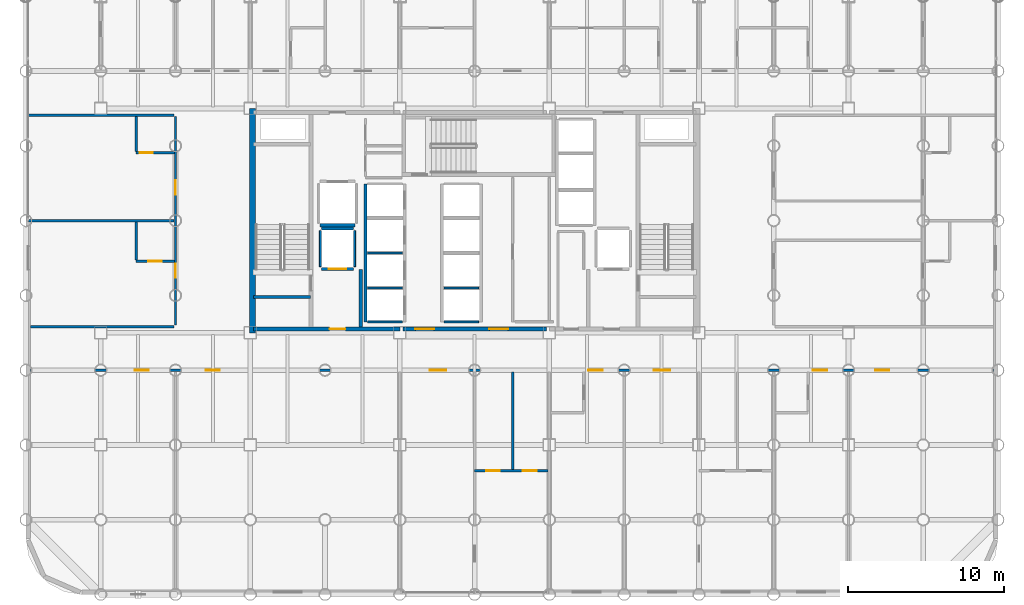
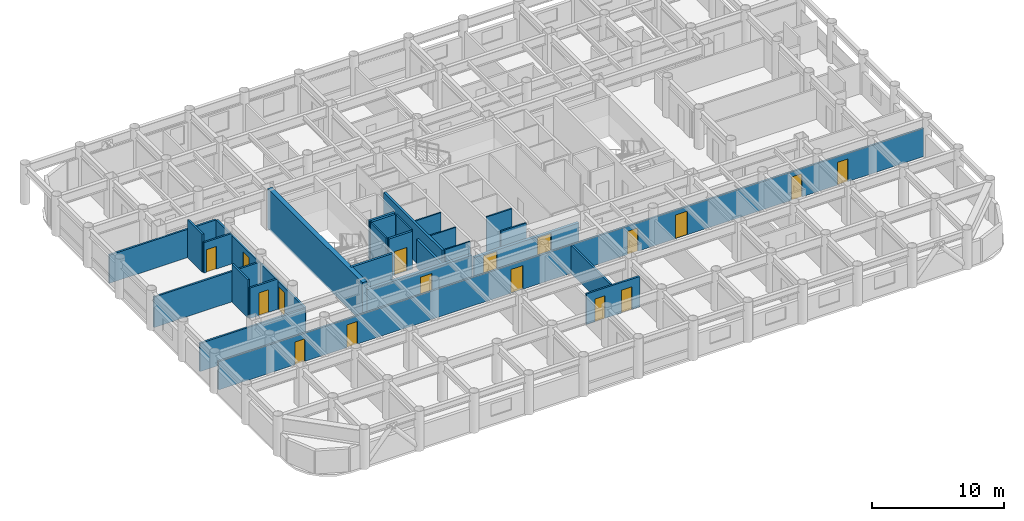
# One storey, part 15 of 20: 27 walls, 17 doors, 17 openings.
"""IFC4 building model written with IfcOpenShell, lengths in metres."""

from ifc_helpers import new_model, si_unit, direction, frame, frame_2d, origin, place, context, subcontext, project, spatial, rectangle, extrude, material, layer, layer_set, type_object, element, fill, save


model = new_model("IFC4")

# Units and contexts
model_context = context("Model", 3, precision=1e-05, world=origin(), true_north=direction((0.0, 1.0)))
body_context = subcontext(model_context, "Body", "Model", "MODEL_VIEW")
ifc_project = project(units=[si_unit("LENGTHUNIT", "METRE"), si_unit("AREAUNIT", "SQUARE_METRE"), si_unit("VOLUMEUNIT", "CUBIC_METRE"), si_unit("PLANEANGLEUNIT", "RADIAN"), si_unit("MASSUNIT", "GRAM", prefix="KILO")], contexts=[model_context])

# Site, building, storey
site_placement = place(None, origin())
site = spatial("IfcSite", under=ifc_project, at=site_placement, CompositionType="ELEMENT")
building_placement = place(site_placement, origin())
building = spatial("IfcBuilding", under=site, at=building_placement, Name="Kallvorn Hotel Tower", CompositionType="ELEMENT")
storey_placement = place(building_placement, frame((0.0, 0.0, 70.699951171875)))
storey = spatial("IfcBuildingStorey", under=building, at=storey_placement, Name="L16", CompositionType="ELEMENT", Elevation=70.699951171875)

# Wall
ifc_material_1 = material(Name="Concrete C50/60", Category="concrete")
ifc_layer_1 = layer(ifc_material_1, 0.39990234375)
ifc_layer_set_1 = layer_set([ifc_layer_1], Name="WL_CORE_400")
wall_type_1 = type_object("IfcWallType", Name="WL_CORE_400", PredefinedType="SHEAR", material=ifc_layer_set_1)
wall_1_placement = place(storey_placement, frame((-14.264892578125, -7.199951171875, -0.179931640625), z_axis=(0.0, 0.0, 1.0), x_axis=(0.0, 1.0, 0.0)))
element("IfcWall", 1, at=wall_1_placement, inside=storey, type_object=wall_type_1, Name="L16 Core West Shear Wall", PredefinedType="SHEAR", context=body_context, shape_type="SweptSolid", body=[
    extrude(rectangle(XDim=14.39990234375, YDim=0.39990234375, at=frame_2d((7.199951171875, 0.0))), origin(), (0.0, 0.0, 1.0), 3.699951171875),
])

# Wall, openings, doors
ifc_material_2 = material(Name="Fire-rated double-layer acoustic gypsum drywall EI 60")
ifc_layer_2 = layer(ifc_material_2, 0.159912109375)
ifc_layer_set_2 = layer_set([ifc_layer_2], Name="WL_DEMISE_160")
wall_type_2 = type_object("IfcWallType", Name="WL_DEMISE_160", PredefinedType="PARTITIONING", material=ifc_layer_set_2)
wall_2_placement = place(storey_placement, frame((0.0, -16.050048828125, 0.0), z_axis=(0.0, 0.0, 1.0), x_axis=(1.0, 0.0, 0.0)))
wall_2 = element("IfcWall", 2, at=wall_2_placement, inside=storey, type_object=wall_type_2, Name="L16 Suite 1605 Executive Bedroom Partition", PredefinedType="PARTITIONING", context=body_context, shape_type="SweptSolid", body=[
    extrude(rectangle(XDim=4.719970703125, YDim=0.159912109375, at=frame_2d((2.35986328125, 0.0))), origin(), (0.0, 0.0, 1.0), 2.820068359375),
])
opening_1_placement = place(wall_2_placement, frame((0.75, 0.0, 0.0)))
opening_1 = element("IfcOpeningElement", 3, at=opening_1_placement, cuts=wall_2, Name="Opening BD-I", PredefinedType="OPENING", context=body_context, shape_type="SweptSolid", body=[
    extrude(rectangle(XDim=0.860107421875, YDim=2.10009765625, at=frame_2d((0.43017578125, 1.050048828125))), frame((0.0, 0.094970703125, 0.0), z_axis=(0.0, -1.0, 0.0), x_axis=(1.0, 0.0, 0.0)), (0.0, 0.0, 1.0), 0.18994140625),
])
opening_2_placement = place(wall_2_placement, frame((3.090087890625, 0.0, 0.0)))
opening_2 = element("IfcOpeningElement", 4, at=opening_2_placement, cuts=wall_2, Name="Opening SVD1", PredefinedType="OPENING", context=body_context, shape_type="SweptSolid", body=[
    extrude(rectangle(XDim=0.89990234375, YDim=2.10009765625, at=frame_2d((0.449951171875, 1.050048828125))), frame((0.0, 0.094970703125, 0.0), z_axis=(0.0, -1.0, 0.0), x_axis=(1.0, 0.0, 0.0)), (0.0, 0.0, 1.0), 0.18994140625),
])
ifc_material_3 = material(Name="Solid-core walnut veneer fire-rated timber door leaf", Category="wood")
door_type_1 = type_object("IfcDoorType", Name="DR_BATH_860x2100", OperationType="NOTDEFINED", PredefinedType="DOOR", material=ifc_material_3)
door_1_placement = place(opening_1_placement, origin())
door_1 = element("IfcDoor", 5, at=door_1_placement, inside=storey, type_object=door_type_1, Name="L16 Suite 1605 En-Suite Bathroom Door", OperationType="SINGLE_SWING_LEFT", OverallHeight=2.10009765625, OverallWidth=0.860107421875, PredefinedType="DOOR", context=body_context, shape_type="SweptSolid", body=[
    extrude(rectangle(XDim=0.860107421875, YDim=2.10009765625, at=frame_2d((0.43017578125, 1.050048828125))), frame((0.0, 0.02490234375, 0.0), z_axis=(0.0, -1.0, 0.0), x_axis=(1.0, 0.0, 0.0)), (0.0, 0.0, 1.0), 0.050048828125),
])
fill(opening_1, door_1)
ifc_material_4 = material(Name="Galvanised painted steel fire-rated door assembly", Category="steel")
door_type_2 = type_object("IfcDoorType", Name="DR_SERV_900x2100", OperationType="NOTDEFINED", PredefinedType="DOOR", material=ifc_material_4)
door_2_placement = place(opening_2_placement, origin())
door_2 = element("IfcDoor", 6, at=door_2_placement, inside=storey, type_object=door_type_2, Name="L16 Suite 1605 Walk-In Dressing Closet Door", OperationType="SINGLE_SWING_LEFT", OverallHeight=2.10009765625, OverallWidth=0.89990234375, PredefinedType="DOOR", context=body_context, shape_type="SweptSolid", body=[
    extrude(rectangle(XDim=0.89990234375, YDim=2.10009765625, at=frame_2d((0.449951171875, 1.050048828125))), frame((0.0, 0.02490234375, 0.0), z_axis=(0.0, -1.0, 0.0), x_axis=(1.0, 0.0, 0.0)), (0.0, 0.0, 1.0), 0.050048828125),
])
fill(opening_2, door_2)

wall_3_placement = place(storey_placement, frame((-28.510009765625, -9.60009765625, 0.0), z_axis=(0.0, 0.0, 1.0), x_axis=(1.0, 0.0, 0.0)))
wall_3 = element("IfcWall", 7, at=wall_3_placement, inside=storey, type_object=wall_type_2, Name="L16 Suite 1605 Executive Living Salon Partition", PredefinedType="PARTITIONING", context=body_context, shape_type="SweptSolid", body=[
    extrude(rectangle(XDim=61.820068359375, YDim=0.159912109375, at=frame_2d((30.91015625, 0.0))), origin(), (0.0, 0.0, 1.0), 2.6201171875),
])
opening_3_placement = place(wall_3_placement, frame((6.679443359375, 0.0, 0.0)))
opening_3 = element("IfcOpeningElement", 8, at=opening_3_placement, cuts=wall_3, Name="Opening SVD1", PredefinedType="OPENING", context=body_context, shape_type="SweptSolid", body=[
    extrude(rectangle(XDim=0.89990234375, YDim=2.10009765625, at=frame_2d((0.449951171875, 1.050048828125))), frame((0.0, 0.094970703125, 0.0), z_axis=(0.0, -1.0, 0.0), x_axis=(1.0, 0.0, 0.0)), (0.0, 0.0, 1.0), 0.18994140625),
])
opening_4_placement = place(wall_3_placement, frame((54.240478515625, 0.0, 0.0)))
opening_4 = element("IfcOpeningElement", 9, at=opening_4_placement, cuts=wall_3, Name="Opening SVD1", PredefinedType="OPENING", context=body_context, shape_type="SweptSolid", body=[
    extrude(rectangle(XDim=0.89990234375, YDim=2.10009765625, at=frame_2d((0.449951171875, 1.050048828125))), frame((0.0, 0.094970703125, 0.0), z_axis=(0.0, -1.0, 0.0), x_axis=(1.0, 0.0, 0.0)), (0.0, 0.0, 1.0), 0.18994140625),
])
opening_5_placement = place(wall_3_placement, frame((11.260009765625, 0.0, 0.0)))
opening_5 = element("IfcOpeningElement", 10, at=opening_5_placement, cuts=wall_3, Name="Opening SVD1", PredefinedType="OPENING", context=body_context, shape_type="SweptSolid", body=[
    extrude(rectangle(XDim=0.89990234375, YDim=2.10009765625, at=frame_2d((0.449951171875, 1.050048828125))), frame((0.0, 0.094970703125, 0.0), z_axis=(0.0, -1.0, 0.0), x_axis=(1.0, 0.0, 0.0)), (0.0, 0.0, 1.0), 0.18994140625),
])
opening_6_placement = place(wall_3_placement, frame((25.625, 0.0, 0.0)))
opening_6 = element("IfcOpeningElement", 11, at=opening_6_placement, cuts=wall_3, Name="Opening GD2", PredefinedType="OPENING", context=body_context, shape_type="SweptSolid", body=[
    extrude(rectangle(XDim=1.050048828125, YDim=2.199951171875, at=frame_2d((0.52490234375, 1.10009765625))), frame((0.0, 0.094970703125, 0.0), z_axis=(0.0, -1.0, 0.0), x_axis=(1.0, 0.0, 0.0)), (0.0, 0.0, 1.0), 0.18994140625),
])
opening_7_placement = place(wall_3_placement, frame((35.820068359375, 0.0, 0.0)))
opening_7 = element("IfcOpeningElement", 12, at=opening_7_placement, cuts=wall_3, Name="Opening GD1", PredefinedType="OPENING", context=body_context, shape_type="SweptSolid", body=[
    extrude(rectangle(XDim=0.919921875, YDim=2.14990234375, at=frame_2d((0.4599609375, 1.074951171875))), frame((0.0, 0.094970703125, 0.0), z_axis=(0.0, -1.0, 0.0), x_axis=(1.0, 0.0, 0.0)), (0.0, 0.0, 1.0), 0.18994140625),
])
opening_8_placement = place(wall_3_placement, frame((40.02490234375, 0.0, 0.0)))
opening_8 = element("IfcOpeningElement", 13, at=opening_8_placement, cuts=wall_3, Name="Opening GD2", PredefinedType="OPENING", context=body_context, shape_type="SweptSolid", body=[
    extrude(rectangle(XDim=1.050048828125, YDim=2.199951171875, at=frame_2d((0.52490234375, 1.10009765625))), frame((0.0, 0.094970703125, 0.0), z_axis=(0.0, -1.0, 0.0), x_axis=(1.0, 0.0, 0.0)), (0.0, 0.0, 1.0), 0.18994140625),
])
opening_9_placement = place(wall_3_placement, frame((50.219970703125, 0.0, 0.0)))
opening_9 = element("IfcOpeningElement", 14, at=opening_9_placement, cuts=wall_3, Name="Opening GD1", PredefinedType="OPENING", context=body_context, shape_type="SweptSolid", body=[
    extrude(rectangle(XDim=0.919921875, YDim=2.14990234375, at=frame_2d((0.4599609375, 1.074951171875))), frame((0.0, 0.094970703125, 0.0), z_axis=(0.0, -1.0, 0.0), x_axis=(1.0, 0.0, 0.0)), (0.0, 0.0, 1.0), 0.18994140625),
])
ifc_material_5 = material(Name="Solid-core walnut veneer fire-rated timber door leaf", Category="wood")
door_type_3 = type_object("IfcDoorType", Name="DR_GUEST_920x2150", OperationType="NOTDEFINED", PredefinedType="DOOR", material=ifc_material_5)
door_3_placement = place(opening_7_placement, origin())
door_3 = element("IfcDoor", 15, at=door_3_placement, inside=storey, type_object=door_type_3, Name="L16 Suite 1606 Deluxe King Room Door", OperationType="SINGLE_SWING_LEFT", OverallHeight=2.14990234375, OverallWidth=0.919921875, PredefinedType="DOOR", context=body_context, shape_type="SweptSolid", body=[
    extrude(rectangle(XDim=0.919921875, YDim=2.14990234375, at=frame_2d((0.4599609375, 1.074951171875))), frame((0.0, 0.02490234375, 0.0), z_axis=(0.0, -1.0, 0.0), x_axis=(1.0, 0.0, 0.0)), (0.0, 0.0, 1.0), 0.050048828125),
])
fill(opening_7, door_3)
door_4_placement = place(opening_9_placement, origin())
door_4 = element("IfcDoor", 16, at=door_4_placement, inside=storey, type_object=door_type_3, Name="L16 Suite 1608 Superior Twin Room Door", OperationType="SINGLE_SWING_LEFT", OverallHeight=2.14990234375, OverallWidth=0.919921875, PredefinedType="DOOR", context=body_context, shape_type="SweptSolid", body=[
    extrude(rectangle(XDim=0.919921875, YDim=2.14990234375, at=frame_2d((0.4599609375, 1.074951171875))), frame((0.0, 0.02490234375, 0.0), z_axis=(0.0, -1.0, 0.0), x_axis=(1.0, 0.0, 0.0)), (0.0, 0.0, 1.0), 0.050048828125),
])
fill(opening_9, door_4)
door_5_placement = place(opening_3_placement, origin())
door_5 = element("IfcDoor", 17, at=door_5_placement, inside=storey, type_object=door_type_2, Name="L16 L16 South-West Botanical Bar Door", OperationType="SINGLE_SWING_RIGHT", OverallHeight=2.10009765625, OverallWidth=0.89990234375, PredefinedType="DOOR", context=body_context, shape_type="SweptSolid", body=[
    extrude(rectangle(XDim=0.89990234375, YDim=2.10009765625, at=frame_2d((0.449951171875, 1.050048828125))), frame((0.0, 0.02490234375, 0.0), z_axis=(0.0, -1.0, 0.0), x_axis=(1.0, 0.0, 0.0)), (0.0, 0.0, 1.0), 0.050048828125),
])
fill(opening_3, door_5)
door_6_placement = place(opening_4_placement, origin())
door_6 = element("IfcDoor", 18, at=door_6_placement, inside=storey, type_object=door_type_2, Name="L16 L16 South-East Sommelier Bar Door", OperationType="SINGLE_SWING_LEFT", OverallHeight=2.10009765625, OverallWidth=0.89990234375, PredefinedType="DOOR", context=body_context, shape_type="SweptSolid", body=[
    extrude(rectangle(XDim=0.89990234375, YDim=2.10009765625, at=frame_2d((0.449951171875, 1.050048828125))), frame((0.0, 0.02490234375, 0.0), z_axis=(0.0, -1.0, 0.0), x_axis=(1.0, 0.0, 0.0)), (0.0, 0.0, 1.0), 0.050048828125),
])
fill(opening_4, door_6)
door_7_placement = place(opening_5_placement, origin())
door_7 = element("IfcDoor", 19, at=door_7_placement, inside=storey, type_object=door_type_2, Name="L16 L16 Panoramic Club Sky Lounge 1 Door", OperationType="SINGLE_SWING_LEFT", OverallHeight=2.10009765625, OverallWidth=0.89990234375, PredefinedType="DOOR", context=body_context, shape_type="SweptSolid", body=[
    extrude(rectangle(XDim=0.89990234375, YDim=2.10009765625, at=frame_2d((0.449951171875, 1.050048828125))), frame((0.0, 0.02490234375, 0.0), z_axis=(0.0, -1.0, 0.0), x_axis=(1.0, 0.0, 0.0)), (0.0, 0.0, 1.0), 0.050048828125),
])
fill(opening_5, door_7)
ifc_material_6 = material(Name="Solid-core walnut veneer fire-rated timber door leaf", Category="wood")
door_type_4 = type_object("IfcDoorType", Name="DR_SUITE_1050x2200", OperationType="NOTDEFINED", PredefinedType="DOOR", material=ifc_material_6)
door_8_placement = place(opening_6_placement, origin())
door_8 = element("IfcDoor", 20, at=door_8_placement, inside=storey, type_object=door_type_4, Name="L16 Suite 1605 Executive Living Salon Door", OperationType="SINGLE_SWING_RIGHT", OverallHeight=2.199951171875, OverallWidth=1.050048828125, PredefinedType="DOOR", context=body_context, shape_type="SweptSolid", body=[
    extrude(rectangle(XDim=1.050048828125, YDim=2.199951171875, at=frame_2d((0.52490234375, 1.10009765625))), frame((0.0, 0.02490234375, 0.0), z_axis=(0.0, -1.0, 0.0), x_axis=(1.0, 0.0, 0.0)), (0.0, 0.0, 1.0), 0.050048828125),
])
fill(opening_6, door_8)
door_9_placement = place(opening_8_placement, origin())
door_9 = element("IfcDoor", 21, at=door_9_placement, inside=storey, type_object=door_type_4, Name="L16 Suite 1607 Executive Living Salon Door", OperationType="SINGLE_SWING_LEFT", OverallHeight=2.199951171875, OverallWidth=1.050048828125, PredefinedType="DOOR", context=body_context, shape_type="SweptSolid", body=[
    extrude(rectangle(XDim=1.050048828125, YDim=2.199951171875, at=frame_2d((0.52490234375, 1.10009765625))), frame((0.0, 0.02490234375, 0.0), z_axis=(0.0, -1.0, 0.0), x_axis=(1.0, 0.0, 0.0)), (0.0, 0.0, 1.0), 0.050048828125),
])
fill(opening_8, door_9)

# Wall
wall_4_placement = place(storey_placement, frame((-28.510009765625, -6.800048828125, 0.0), z_axis=(0.0, 0.0, 1.0), x_axis=(1.0, 0.0, 0.0)))
element("IfcWall", 22, at=wall_4_placement, inside=storey, type_object=wall_type_2, Name="L16 Suite 1601 W Loggia King Room Partition", PredefinedType="PARTITIONING", context=body_context, shape_type="SweptSolid", body=[
    extrude(rectangle(XDim=9.22998046875, YDim=0.159912109375, at=frame_2d((4.614990234375, 0.0))), origin(), (0.0, 0.0, 1.0), 2.6201171875),
])

# Wall, opening, door
wall_5_placement = place(storey_placement, frame((-21.72998046875, -2.60009765625, 0.0), z_axis=(0.0, 0.0, 1.0), x_axis=(1.0, 0.0, 0.0)))
wall_5 = element("IfcWall", 23, at=wall_5_placement, inside=storey, type_object=wall_type_2, Name="L16 Suite 1601 W Loggia King Room Partition", PredefinedType="PARTITIONING", context=body_context, shape_type="SweptSolid", body=[
    extrude(rectangle(XDim=2.449951171875, YDim=0.159912109375, at=frame_2d((1.22509765625, 0.0))), origin(), (0.0, 0.0, 1.0), 2.820068359375),
])
opening_10_placement = place(wall_5_placement, frame((0.794921875, 0.0, 0.0)))
opening_10 = element("IfcOpeningElement", 24, at=opening_10_placement, cuts=wall_5, Name="Opening BD-I", PredefinedType="OPENING", context=body_context, shape_type="SweptSolid", body=[
    extrude(rectangle(XDim=0.860107421875, YDim=2.10009765625, at=frame_2d((0.43017578125, 1.050048828125))), frame((0.0, 0.094970703125, 0.0), z_axis=(0.0, -1.0, 0.0), x_axis=(1.0, 0.0, 0.0)), (0.0, 0.0, 1.0), 0.18994140625),
])
door_10_placement = place(opening_10_placement, origin())
door_10 = element("IfcDoor", 25, at=door_10_placement, inside=storey, type_object=door_type_1, Name="L16 Suite 1601 En-Suite Bathroom Door", OperationType="SINGLE_SWING_RIGHT", OverallHeight=2.10009765625, OverallWidth=0.860107421875, PredefinedType="DOOR", context=body_context, shape_type="SweptSolid", body=[
    extrude(rectangle(XDim=0.860107421875, YDim=2.10009765625, at=frame_2d((0.43017578125, 1.050048828125))), frame((0.0, 0.02490234375, 0.0), z_axis=(0.0, -1.0, 0.0), x_axis=(1.0, 0.0, 0.0)), (0.0, 0.0, 1.0), 0.050048828125),
])
fill(opening_10, door_10)

# Wall
wall_6_placement = place(storey_placement, frame((-28.6298828125, 0.0, 0.0), z_axis=(0.0, 0.0, 1.0), x_axis=(1.0, 0.0, 0.0)))
element("IfcWall", 26, at=wall_6_placement, inside=storey, type_object=wall_type_2, Name="L16 Suite 1602 W Andean Twin Room Partition", PredefinedType="PARTITIONING", context=body_context, shape_type="SweptSolid", body=[
    extrude(rectangle(XDim=9.349853515625, YDim=0.159912109375, at=frame_2d((4.6748046875, 0.0))), origin(), (0.0, 0.0, 1.0), 2.820068359375),
])

# Wall, opening, door
wall_7_placement = place(storey_placement, frame((-21.72998046875, 4.35009765625, 0.0), z_axis=(0.0, 0.0, 1.0), x_axis=(1.0, 0.0, 0.0)))
wall_7 = element("IfcWall", 27, at=wall_7_placement, inside=storey, type_object=wall_type_2, Name="L16 Suite 1602 W Andean Twin Room Partition", PredefinedType="PARTITIONING", context=body_context, shape_type="SweptSolid", body=[
    extrude(rectangle(XDim=2.449951171875, YDim=0.159912109375, at=frame_2d((1.22509765625, 0.0))), origin(), (0.0, 0.0, 1.0), 2.820068359375),
])
opening_11_placement = place(wall_7_placement, frame((0.219970703125, 0.0, 0.0)))
opening_11 = element("IfcOpeningElement", 28, at=opening_11_placement, cuts=wall_7, Name="Opening BD-I", PredefinedType="OPENING", context=body_context, shape_type="SweptSolid", body=[
    extrude(rectangle(XDim=0.860107421875, YDim=2.10009765625, at=frame_2d((0.43017578125, 1.050048828125))), frame((0.0, 0.094970703125, 0.0), z_axis=(0.0, -1.0, 0.0), x_axis=(1.0, 0.0, 0.0)), (0.0, 0.0, 1.0), 0.18994140625),
])
door_11_placement = place(opening_11_placement, origin())
door_11 = element("IfcDoor", 29, at=door_11_placement, inside=storey, type_object=door_type_1, Name="L16 Suite 1602 En-Suite Bathroom Door", OperationType="SINGLE_SWING_RIGHT", OverallHeight=2.10009765625, OverallWidth=0.860107421875, PredefinedType="DOOR", context=body_context, shape_type="SweptSolid", body=[
    extrude(rectangle(XDim=0.860107421875, YDim=2.10009765625, at=frame_2d((0.43017578125, 1.050048828125))), frame((0.0, 0.02490234375, 0.0), z_axis=(0.0, -1.0, 0.0), x_axis=(1.0, 0.0, 0.0)), (0.0, 0.0, 1.0), 0.050048828125),
])
fill(opening_11, door_11)

# Walls
wall_8_placement = place(storey_placement, frame((-28.6298828125, 6.75830078125, 0.0), z_axis=(0.0, 0.0, 1.0), x_axis=(1.0, 0.0, 0.0)))
element("IfcWall", 30, at=wall_8_placement, inside=storey, type_object=wall_type_2, Name="L16 Suite 1602 W Andean Twin Room Partition", PredefinedType="PARTITIONING", context=body_context, shape_type="SweptSolid", body=[
    extrude(rectangle(XDim=9.349853515625, YDim=0.159912109375, at=frame_2d((4.6748046875, 0.0))), origin(), (0.0, 0.0, 1.0), 2.6201171875),
])
wall_9_placement = place(storey_placement, frame((-21.72998046875, -2.514892578125, 0.0), z_axis=(0.0, 0.0, 1.0), x_axis=(0.0, 1.0, 0.0)))
element("IfcWall", 31, at=wall_9_placement, inside=storey, type_object=wall_type_2, Name="L16 Suite 1601 W Loggia King Room Partition", PredefinedType="PARTITIONING", context=body_context, shape_type="SweptSolid", body=[
    extrude(rectangle(XDim=2.414794921875, YDim=0.159912109375, at=frame_2d((1.20751953125, 0.0))), origin(), (0.0, 0.0, 1.0), 3.52001953125),
])
wall_10_placement = place(storey_placement, frame((-21.72998046875, 4.43505859375, 0.0), z_axis=(0.0, 0.0, 1.0), x_axis=(0.0, 1.0, 0.0)))
element("IfcWall", 32, at=wall_10_placement, inside=storey, type_object=wall_type_2, Name="L16 Suite 1602 W Andean Twin Room Partition", PredefinedType="PARTITIONING", context=body_context, shape_type="SweptSolid", body=[
    extrude(rectangle(XDim=2.23828125, YDim=0.159912109375, at=frame_2d((1.119140625, 0.0))), origin(), (0.0, 0.0, 1.0), 3.52001953125),
])

# Wall, openings, doors
wall_11_placement = place(storey_placement, frame((-19.199951171875, -6.715087890625, 0.0), z_axis=(0.0, 0.0, 1.0), x_axis=(0.0, 1.0, 0.0)))
wall_11 = element("IfcWall", 33, at=wall_11_placement, inside=storey, type_object=wall_type_2, Name="L16 Suite 1601 W Loggia King Room Partition", PredefinedType="PARTITIONING", context=body_context, shape_type="SweptSolid", body=[
    extrude(rectangle(XDim=13.388427734375, YDim=0.159912109375, at=frame_2d((6.6943359375, 0.0))), origin(), (0.0, 0.0, 1.0), 2.6201171875),
])
opening_12_placement = place(wall_11_placement, frame((3.034912109375, 0.0, 0.0)))
opening_12 = element("IfcOpeningElement", 34, at=opening_12_placement, cuts=wall_11, Name="Opening GD1", PredefinedType="OPENING", context=body_context, shape_type="SweptSolid", body=[
    extrude(rectangle(XDim=0.919921875, YDim=2.14990234375, at=frame_2d((0.4599609375, 1.074951171875))), frame((0.0, 0.094970703125, 0.0), z_axis=(0.0, -1.0, 0.0), x_axis=(1.0, 0.0, 0.0)), (0.0, 0.0, 1.0), 0.18994140625),
])
opening_13_placement = place(wall_11_placement, frame((8.385009765625, 0.0, 0.0)))
opening_13 = element("IfcOpeningElement", 35, at=opening_13_placement, cuts=wall_11, Name="Opening GD1", PredefinedType="OPENING", context=body_context, shape_type="SweptSolid", body=[
    extrude(rectangle(XDim=0.919921875, YDim=2.14990234375, at=frame_2d((0.4599609375, 1.074951171875))), frame((0.0, 0.094970703125, 0.0), z_axis=(0.0, -1.0, 0.0), x_axis=(1.0, 0.0, 0.0)), (0.0, 0.0, 1.0), 0.18994140625),
])
door_12_placement = place(opening_12_placement, origin())
door_12 = element("IfcDoor", 36, at=door_12_placement, inside=storey, type_object=door_type_3, Name="L16 Suite 1601 W Loggia King Room Door", OperationType="SINGLE_SWING_LEFT", OverallHeight=2.14990234375, OverallWidth=0.919921875, PredefinedType="DOOR", context=body_context, shape_type="SweptSolid", body=[
    extrude(rectangle(XDim=0.919921875, YDim=2.14990234375, at=frame_2d((0.4599609375, 1.074951171875))), frame((0.0, 0.02490234375, 0.0), z_axis=(0.0, -1.0, 0.0), x_axis=(1.0, 0.0, 0.0)), (0.0, 0.0, 1.0), 0.050048828125),
])
fill(opening_12, door_12)
door_13_placement = place(opening_13_placement, origin())
door_13 = element("IfcDoor", 37, at=door_13_placement, inside=storey, type_object=door_type_3, Name="L16 Suite 1602 W Andean Twin Room Door", OperationType="SINGLE_SWING_LEFT", OverallHeight=2.14990234375, OverallWidth=0.919921875, PredefinedType="DOOR", context=body_context, shape_type="SweptSolid", body=[
    extrude(rectangle(XDim=0.919921875, YDim=2.14990234375, at=frame_2d((0.4599609375, 1.074951171875))), frame((0.0, 0.02490234375, 0.0), z_axis=(0.0, -1.0, 0.0), x_axis=(1.0, 0.0, 0.0)), (0.0, 0.0, 1.0), 0.050048828125),
])
fill(opening_13, door_13)

# Walls
ifc_material_7 = material(Name="Concrete C40/50", Category="concrete")
ifc_layer_3 = layer(ifc_material_7, 0.219970703125)
ifc_layer_set_3 = layer_set([ifc_layer_3], Name="WL_FFL_220")
wall_type_3 = type_object("IfcWallType", Name="WL_FFL_220", PredefinedType="SOLIDWALL", material=ifc_layer_set_3)
wall_12_placement = place(storey_placement, frame((-7.300048828125, -6.820068359375, 0.0), z_axis=(0.0, 0.0, 1.0), x_axis=(0.0, 1.0, 0.0)))
element("IfcWall", 38, at=wall_12_placement, inside=storey, type_object=wall_type_3, Name="L16 Firefighting Lobby West Divider Wall", PredefinedType="SOLIDWALL", context=body_context, shape_type="SweptSolid", body=[
    extrude(rectangle(XDim=3.670166015625, YDim=0.219970703125, at=frame_2d((1.8349609375, 0.0))), origin(), (0.0, 0.0, 1.0), 2.6201171875),
])
ifc_material_8 = material(Name="Concrete C40/50", Category="concrete")
ifc_layer_4 = layer(ifc_material_8, 0.199951171875)
ifc_layer_set_4 = layer_set([ifc_layer_4], Name="WL_HOIST_200")
wall_type_4 = type_object("IfcWallType", Name="WL_HOIST_200", PredefinedType="SOLIDWALL", material=ifc_layer_set_4)
wall_13_placement = place(storey_placement, frame((-14.199951171875, -4.89990234375, -0.179931640625), z_axis=(0.0, 0.0, 1.0), x_axis=(1.0, 0.0, 0.0)))
element("IfcWall", 39, at=wall_13_placement, inside=storey, type_object=wall_type_4, Name="L16 Stair ST1 South Wall", PredefinedType="SOLIDWALL", context=body_context, shape_type="SweptSolid", body=[
    extrude(rectangle(XDim=3.64990234375, YDim=0.199951171875, at=frame_2d((1.824951171875, 0.0))), origin(), (0.0, 0.0, 1.0), 3.699951171875),
])
wall_14_placement = place(storey_placement, frame((-7.0, -6.5, 0.0), z_axis=(0.0, 0.0, 1.0), x_axis=(0.0, 1.0, 0.0)))
element("IfcWall", 40, at=wall_14_placement, inside=storey, type_object=wall_type_4, Name="L16 Lift Bank B1 Rear Shaft Wall", PredefinedType="SOLIDWALL", context=body_context, shape_type="SweptSolid", body=[
    extrude(rectangle(XDim=8.85009765625, YDim=0.199951171875, at=frame_2d((4.425048828125, 0.0))), origin(), (0.0, 0.0, 1.0), 3.52001953125),
])

# Wall, opening, door
wall_15_placement = place(storey_placement, frame((-9.820068359375, -3.10009765625, 0.0), z_axis=(0.0, 0.0, 1.0), x_axis=(1.0, 0.0, 0.0)))
wall_15 = element("IfcWall", 41, at=wall_15_placement, inside=storey, type_object=wall_type_4, Name="L16 FL-1 Landing Wall", PredefinedType="SOLIDWALL", context=body_context, shape_type="SweptSolid", body=[
    extrude(rectangle(XDim=2.0400390625, YDim=0.199951171875, at=frame_2d((1.02001953125, 0.0))), origin(), (0.0, 0.0, 1.0), 3.52001953125),
])
opening_14_placement = place(wall_15_placement, frame((0.469970703125, 0.0, 0.0)))
opening_14 = element("IfcOpeningElement", 42, at=opening_14_placement, cuts=wall_15, Name="Opening LD-FL-1", PredefinedType="OPENING", context=body_context, shape_type="SweptSolid", body=[
    extrude(rectangle(XDim=1.10009765625, YDim=2.199951171875, at=frame_2d((0.550048828125, 1.10009765625))), frame((0.0, 0.114990234375, 0.0), z_axis=(0.0, -1.0, 0.0), x_axis=(1.0, 0.0, 0.0)), (0.0, 0.0, 1.0), 0.22998046875),
])
ifc_material_9 = material(Name="Brushed stainless-steel automatic sliding lift landing door", Category="steel")
door_type_5 = type_object("IfcDoorType", Name="LD_PASS_1100x2200", OperationType="SLIDING_TO_LEFT", PredefinedType="DOOR", material=ifc_material_9)
door_14_placement = place(opening_14_placement, origin())
door_14 = element("IfcDoor", 43, at=door_14_placement, inside=storey, type_object=door_type_5, Name="L16 Lift Landing Sliding Door LD-FL-1", OperationType="SLIDING_TO_LEFT", OverallHeight=2.199951171875, OverallWidth=1.10009765625, PredefinedType="DOOR", context=body_context, shape_type="SweptSolid", body=[
    extrude(rectangle(XDim=1.10009765625, YDim=2.199951171875, at=frame_2d((0.550048828125, 1.10009765625))), frame((0.0, 0.02490234375, 0.0), z_axis=(0.0, -1.0, 0.0), x_axis=(1.0, 0.0, 0.0)), (0.0, 0.0, 1.0), 0.050048828125),
])
fill(opening_14, door_14)

# Walls
wall_16_placement = place(storey_placement, frame((-9.820068359375, -0.5, 0.0), z_axis=(0.0, 0.0, 1.0), x_axis=(1.0, 0.0, 0.0)))
element("IfcWall", 44, at=wall_16_placement, inside=storey, type_object=wall_type_4, Name="L16 FL-1 Rear Shaft Wall", PredefinedType="SOLIDWALL", context=body_context, shape_type="SweptSolid", body=[
    extrude(rectangle(XDim=2.0400390625, YDim=0.199951171875, at=frame_2d((1.02001953125, 0.0))), origin(), (0.0, 0.0, 1.0), 3.52001953125),
])
wall_17_placement = place(storey_placement, frame((-9.919921875, -0.300048828125, 0.0), z_axis=(0.0, 0.0, 1.0), x_axis=(1.0, 0.0, 0.0)))
element("IfcWall", 45, at=wall_17_placement, inside=storey, type_object=wall_type_4, Name="L16 SV-01 Rear Shaft Wall", PredefinedType="SOLIDWALL", context=body_context, shape_type="SweptSolid", body=[
    extrude(rectangle(XDim=2.239990234375, YDim=0.199951171875, at=frame_2d((1.1201171875, 0.0))), origin(), (0.0, 0.0, 1.0), 3.52001953125),
])
ifc_material_10 = material(Name="Fire-rated double-layer acoustic gypsum drywall EI 60")
ifc_layer_5 = layer(ifc_material_10, 0.1201171875)
ifc_layer_set_5 = layer_set([ifc_layer_5], Name="WL_INT_120")
wall_type_5 = type_object("IfcWallType", Name="WL_INT_120", PredefinedType="PARTITIONING", material=ifc_layer_set_5)
for number, where, z_axis, x_axis, name in (
    (46, (-6.860107421875, -6.5, 0.0), (0.0, 0.0, 1.0), (1.0, 0.0, 0.0), "L16 Lift Bank B1 South Closure Wall"),
    (47, (-6.860107421875, -4.324951171875, 0.0), (0.0, 0.0, 1.0), (1.0, 0.0, 0.0), "L16 PL-01 Hoistway Divider"),
    (48, (-6.860107421875, -2.074951171875, 0.0), (0.0, 0.0, 1.0), (1.0, 0.0, 0.0), "L16 PL-02 Hoistway Divider"),
):
    element("IfcWall", number, at=place(storey_placement, frame(where, z_axis=z_axis, x_axis=x_axis)), inside=storey, type_object=wall_type_5, Name=name, PredefinedType="PARTITIONING", context=body_context, shape_type="SweptSolid", body=[
        extrude(rectangle(XDim=2.22021484375, YDim=0.1201171875, at=frame_2d((1.110107421875, 0.0))), origin(), (0.0, 0.0, 1.0), 3.52001953125),
    ])
for number, where, z_axis, x_axis, name in (
    (49, (-1.9599609375, -6.5, 0.0), (0.0, 0.0, 1.0), (1.0, 0.0, 0.0), "L16 Lift Bank B2 South Closure Wall"),
    (50, (-1.9599609375, -4.324951171875, 0.0), (0.0, 0.0, 1.0), (1.0, 0.0, 0.0), "L16 PL-05 Hoistway Divider"),
):
    element("IfcWall", number, at=place(storey_placement, frame(where, z_axis=z_axis, x_axis=x_axis)), inside=storey, type_object=wall_type_5, Name=name, PredefinedType="PARTITIONING", context=body_context, shape_type="SweptSolid", body=[
        extrude(rectangle(XDim=2.219970703125, YDim=0.1201171875, at=frame_2d((1.10986328125, 0.0))), origin(), (0.0, 0.0, 1.0), 3.52001953125),
    ])
for number, where, z_axis, x_axis, name in (
    (51, (-9.89990234375, -2.9599609375, 0.0), (0.0, 0.0, 1.0), (0.0, 1.0, 0.0), "L16 FL-1 West Shaft Wall"),
    (52, (-7.699951171875, -2.9599609375, 0.0), (0.0, 0.0, 1.0), (0.0, 1.0, 0.0), "L16 FL-1 East Shaft Wall"),
):
    element("IfcWall", number, at=place(storey_placement, frame(where, z_axis=z_axis, x_axis=x_axis)), inside=storey, type_object=wall_type_5, Name=name, PredefinedType="PARTITIONING", context=body_context, shape_type="SweptSolid", body=[
        extrude(rectangle(XDim=2.320068359375, YDim=0.1201171875, at=frame_2d((1.16015625, 0.0))), origin(), (0.0, 0.0, 1.0), 3.52001953125),
    ])
ifc_material_11 = material(Name="Fire-rated double-layer acoustic gypsum drywall EI 60")
ifc_layer_6 = layer(ifc_material_11, 0.14990234375)
ifc_layer_set_6 = layer_set([ifc_layer_6], Name="WL_PART_150")
wall_type_6 = type_object("IfcWallType", Name="WL_PART_150", PredefinedType="PARTITIONING", material=ifc_layer_set_6)
wall_18_placement = place(storey_placement, frame((2.43994140625, -15.965087890625, 0.0), z_axis=(0.0, 0.0, 1.0), x_axis=(0.0, 1.0, 0.0)))
element("IfcWall", 53, at=wall_18_placement, inside=storey, type_object=wall_type_6, Name="L16 Suite 1605 Walk-In Dressing Closet Partition", PredefinedType="PARTITIONING", context=body_context, shape_type="SweptSolid", body=[
    extrude(rectangle(XDim=6.2451171875, YDim=0.14990234375, at=frame_2d((3.12255859375, 0.0))), origin(), (0.0, 0.0, 1.0), 2.6201171875),
])

# Wall, opening, door
ifc_material_12 = material(Name="Concrete C40/50", Category="concrete")
ifc_layer_7 = layer(ifc_material_12, 0.25)
ifc_layer_set_7 = layer_set([ifc_layer_7], Name="WL_SHAFT_250")
wall_type_7 = type_object("IfcWallType", Name="WL_SHAFT_250", PredefinedType="SOLIDWALL", material=ifc_layer_set_7)
wall_19_placement = place(storey_placement, frame((-14.199951171875, -6.949951171875, 0.0), z_axis=(0.0, 0.0, 1.0), x_axis=(1.0, 0.0, 0.0)))
wall_19 = element("IfcWall", 54, at=wall_19_placement, inside=storey, type_object=wall_type_7, Name="L16 Core South-West Wall", PredefinedType="SOLIDWALL", context=body_context, shape_type="SweptSolid", body=[
    extrude(rectangle(XDim=9.39990234375, YDim=0.25, at=frame_2d((4.699951171875, 0.0))), origin(), (0.0, 0.0, 1.0), 2.6201171875),
])
opening_15_placement = place(wall_19_placement, frame((4.89990234375, 0.0, 0.0)))
opening_15 = element("IfcOpeningElement", 55, at=opening_15_placement, cuts=wall_19, Name="Opening FD1", PredefinedType="OPENING", context=body_context, shape_type="SweptSolid", body=[
    extrude(rectangle(XDim=1.0, YDim=2.14990234375, at=frame_2d((0.5, 1.074951171875))), frame((0.0, 0.139892578125, 0.0), z_axis=(0.0, -1.0, 0.0), x_axis=(1.0, 0.0, 0.0)), (0.0, 0.0, 1.0), 0.280029296875),
])
ifc_material_13 = material(Name="Galvanised painted steel fire-rated door assembly", Category="steel")
door_type_6 = type_object("IfcDoorType", Name="DR_FFL_1000x2150", OperationType="NOTDEFINED", PredefinedType="DOOR", material=ifc_material_13)
door_15_placement = place(opening_15_placement, origin())
door_15 = element("IfcDoor", 56, at=door_15_placement, inside=storey, type_object=door_type_6, Name="L16 Firefighting Lobby West Door", OperationType="SINGLE_SWING_LEFT", OverallHeight=2.14990234375, OverallWidth=1.0, PredefinedType="DOOR", context=body_context, shape_type="SweptSolid", body=[
    extrude(rectangle(XDim=1.0, YDim=2.14990234375, at=frame_2d((0.5, 1.074951171875))), frame((0.0, 0.02490234375, 0.0), z_axis=(0.0, -1.0, 0.0), x_axis=(1.0, 0.0, 0.0)), (0.0, 0.0, 1.0), 0.050048828125),
])
fill(opening_15, door_15)

# Wall, openings, doors
wall_20_placement = place(storey_placement, frame((-4.60009765625, -6.949951171875, 0.0), z_axis=(0.0, 0.0, 1.0), x_axis=(1.0, 0.0, 0.0)))
wall_20 = element("IfcWall", 57, at=wall_20_placement, inside=storey, type_object=wall_type_7, Name="L16 Core South-Central Wall", PredefinedType="SOLIDWALL", context=body_context, shape_type="SweptSolid", body=[
    extrude(rectangle(XDim=9.2001953125, YDim=0.25, at=frame_2d((4.60009765625, 0.0))), origin(), (0.0, 0.0, 1.0), 2.320068359375),
])
opening_16_placement = place(wall_20_placement, frame((0.800048828125, 0.0, 0.0)))
opening_16 = element("IfcOpeningElement", 58, at=opening_16_placement, cuts=wall_20, Name="Opening FD2", PredefinedType="OPENING", context=body_context, shape_type="SweptSolid", body=[
    extrude(rectangle(XDim=1.199951171875, YDim=2.199951171875, at=frame_2d((0.60009765625, 1.10009765625))), frame((0.0, 0.139892578125, 0.0), z_axis=(0.0, -1.0, 0.0), x_axis=(1.0, 0.0, 0.0)), (0.0, 0.0, 1.0), 0.280029296875),
])
opening_17_placement = place(wall_20_placement, frame((5.550048828125, 0.0, 0.0)))
opening_17 = element("IfcOpeningElement", 59, at=opening_17_placement, cuts=wall_20, Name="Opening FD2", PredefinedType="OPENING", context=body_context, shape_type="SweptSolid", body=[
    extrude(rectangle(XDim=1.199951171875, YDim=2.199951171875, at=frame_2d((0.60009765625, 1.10009765625))), frame((0.0, 0.139892578125, 0.0), z_axis=(0.0, -1.0, 0.0), x_axis=(1.0, 0.0, 0.0)), (0.0, 0.0, 1.0), 0.280029296875),
])
ifc_material_14 = material(Name="Galvanised painted steel fire-rated door assembly", Category="steel")
door_type_7 = type_object("IfcDoorType", Name="DR_LOBBY_1200x2200", OperationType="DOUBLE_DOOR_SINGLE_SWING", PredefinedType="DOOR", material=ifc_material_14)
door_16_placement = place(opening_16_placement, origin())
door_16 = element("IfcDoor", 60, at=door_16_placement, inside=storey, type_object=door_type_7, Name="L16 West Passenger Lift Lobby Door", OperationType="DOUBLE_DOOR_SINGLE_SWING", OverallHeight=2.199951171875, OverallWidth=1.199951171875, PredefinedType="DOOR", context=body_context, shape_type="SweptSolid", body=[
    extrude(rectangle(XDim=1.199951171875, YDim=2.199951171875, at=frame_2d((0.60009765625, 1.10009765625))), frame((0.0, 0.02490234375, 0.0), z_axis=(0.0, -1.0, 0.0), x_axis=(1.0, 0.0, 0.0)), (0.0, 0.0, 1.0), 0.050048828125),
])
fill(opening_16, door_16)
door_17_placement = place(opening_17_placement, origin())
door_17 = element("IfcDoor", 61, at=door_17_placement, inside=storey, type_object=door_type_7, Name="L16 East Passenger Lift Lobby Door", OperationType="DOUBLE_DOOR_SINGLE_SWING", OverallHeight=2.199951171875, OverallWidth=1.199951171875, PredefinedType="DOOR", context=body_context, shape_type="SweptSolid", body=[
    extrude(rectangle(XDim=1.199951171875, YDim=2.199951171875, at=frame_2d((0.60009765625, 1.10009765625))), frame((0.0, 0.02490234375, 0.0), z_axis=(0.0, -1.0, 0.0), x_axis=(1.0, 0.0, 0.0)), (0.0, 0.0, 1.0), 0.050048828125),
])
fill(opening_17, door_17)

save(model, "model.ifc")
